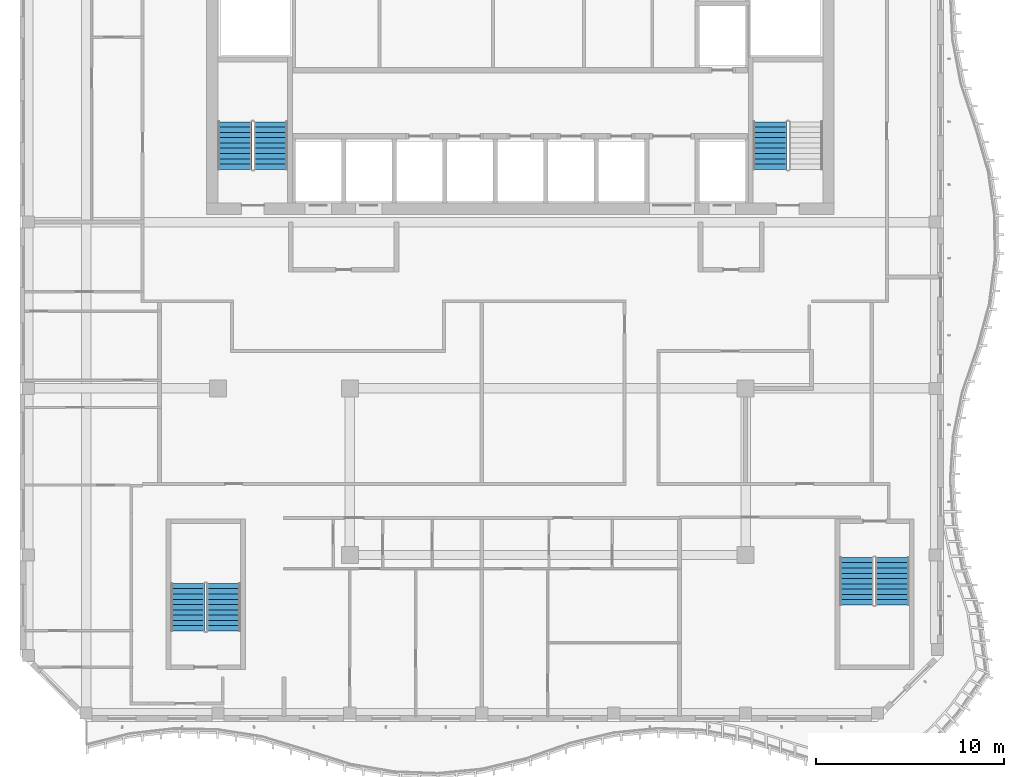
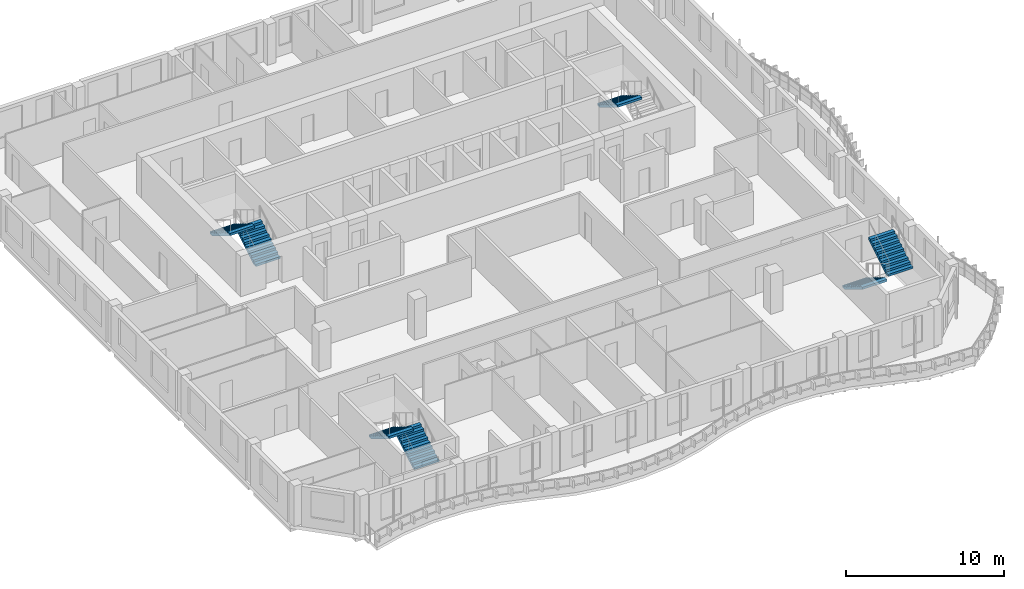
# One storey, part 10 of 16: 7 stair flights, 4 elements without a shape of their own.
"""IFC4 building model written with IfcOpenShell, lengths in metres."""

from ifc_helpers import new_model, si_unit, direction, frame, origin, place, context, subcontext, project, spatial, triangles, source, transform, mapped, material, type_object, element, aggregate, save


model = new_model("IFC4")

# Units and contexts
model_context = context("Model", 3, precision=1e-05, world=origin(), true_north=direction((0.0, 1.0)))
body_context = subcontext(model_context, "Body", "Model", "MODEL_VIEW")
ifc_project = project(units=[si_unit("LENGTHUNIT", "METRE"), si_unit("AREAUNIT", "SQUARE_METRE"), si_unit("VOLUMEUNIT", "CUBIC_METRE"), si_unit("PLANEANGLEUNIT", "RADIAN"), si_unit("MASSUNIT", "GRAM", prefix="KILO")], contexts=[model_context])

# Site, building, storey
site_placement = place(None, origin())
site = spatial("IfcSite", under=ifc_project, at=site_placement, CompositionType="ELEMENT")
building_placement = place(site_placement, origin())
building = spatial("IfcBuilding", under=site, at=building_placement, Name="Kilnfold Tower and Market Hall", CompositionType="ELEMENT")
storey_placement = place(building_placement, frame((0.0, 0.0, 284.0)))
storey = spatial("IfcBuildingStorey", under=building, at=storey_placement, Name="L70", CompositionType="ELEMENT", Elevation=284.0)

# Stair, stair flights
ifc_material_1 = material(Name="Concrete C40/50", Category="concrete")
stair_type = type_object("IfcStairType", Name="CORE STAIR 1800", PredefinedType="HALF_TURN_STAIR", material=ifc_material_1)
stair_1_placement = place(storey_placement, origin())
stair_1 = element("IfcStair", 1, at=stair_1_placement, inside=storey, type_object=stair_type, Name="L70 ST1", PredefinedType="HALF_TURN_STAIR")
ifc_material_2 = material(Name="Concrete C40/50", Category="concrete")
stair_flight_type = type_object("IfcStairFlightType", Name="CORE STAIR FLIGHT 1800", PredefinedType="STRAIGHT", material=ifc_material_2)
shared_shape = source(origin(), body_context, "Body", "Tessellation", [
    triangles([(0.0, 0.89990234375, 0.0), (0.0, 0.78759765625, 0.0), (0.0, 0.675048828125, 0.0), (0.0, 0.5625, 0.0), (0.0, 0.449951171875, 0.0), (0.0, 0.33740234375, 0.0), (0.0, 0.22509765625, 0.0), (0.0, 0.112548828125, 0.0), (0.0, 0.0, 0.0), (0.0, -0.112548828125, 0.0), (0.0, -0.22509765625, 0.0), (0.0, -0.33740234375, 0.0), (0.0, -0.449951171875, 0.0), (0.0, -0.5625, 0.0), (0.0, -0.675048828125, 0.0), (0.0, -0.78759765625, 0.0), (0.0, -0.89990234375, 0.0), (0.0, 0.89990234375, 0.169921875), (0.0, 0.78759765625, 0.169921875), (0.0, 0.675048828125, 0.169921875), (0.0, 0.5625, 0.169921875), (0.0, 0.449951171875, 0.169921875), (0.0, 0.33740234375, 0.169921875), (0.0, 0.22509765625, 0.169921875), (0.0, 0.112548828125, 0.169921875), (0.0, 0.0, 0.169921875), (0.0, -0.112548828125, 0.169921875), (0.0, -0.22509765625, 0.169921875), (0.0, -0.33740234375, 0.169921875), (0.0, -0.449951171875, 0.169921875), (0.0, -0.5625, 0.169921875), (0.0, -0.675048828125, 0.169921875), (0.0, -0.78759765625, 0.169921875), (0.0, -0.89990234375, 0.169921875), (0.280029296875, 0.89990234375, 0.169921875), (0.280029296875, 0.78759765625, 0.169921875), (0.280029296875, 0.675048828125, 0.169921875), (0.280029296875, 0.5625, 0.169921875), (0.280029296875, 0.449951171875, 0.169921875), (0.280029296875, 0.33740234375, 0.169921875), (0.280029296875, 0.22509765625, 0.169921875), (0.280029296875, 0.112548828125, 0.169921875), (0.280029296875, 0.0, 0.169921875), (0.280029296875, -0.112548828125, 0.169921875), (0.280029296875, -0.22509765625, 0.169921875), (0.280029296875, -0.33740234375, 0.169921875), (0.280029296875, -0.449951171875, 0.169921875), (0.280029296875, -0.5625, 0.169921875), (0.280029296875, -0.675048828125, 0.169921875), (0.280029296875, -0.78759765625, 0.169921875), (0.280029296875, -0.89990234375, 0.169921875), (0.280029296875, 0.89990234375, 0.340087890625), (0.280029296875, 0.78759765625, 0.340087890625), (0.280029296875, 0.675048828125, 0.340087890625), (0.280029296875, 0.5625, 0.340087890625), (0.280029296875, 0.449951171875, 0.340087890625), (0.280029296875, 0.33740234375, 0.340087890625), (0.280029296875, 0.22509765625, 0.340087890625), (0.280029296875, 0.112548828125, 0.340087890625), (0.280029296875, 0.0, 0.340087890625), (0.280029296875, -0.112548828125, 0.340087890625), (0.280029296875, -0.22509765625, 0.340087890625), (0.280029296875, -0.33740234375, 0.340087890625), (0.280029296875, -0.449951171875, 0.340087890625), (0.280029296875, -0.5625, 0.340087890625), (0.280029296875, -0.675048828125, 0.340087890625), (0.280029296875, -0.78759765625, 0.340087890625), (0.280029296875, -0.89990234375, 0.340087890625), (0.56005859375, 0.89990234375, 0.340087890625), (0.56005859375, 0.78759765625, 0.340087890625), (0.56005859375, 0.675048828125, 0.340087890625), (0.56005859375, 0.5625, 0.340087890625), (0.56005859375, 0.449951171875, 0.340087890625), (0.56005859375, 0.33740234375, 0.340087890625), (0.56005859375, 0.22509765625, 0.340087890625), (0.56005859375, 0.112548828125, 0.340087890625), (0.56005859375, 0.0, 0.340087890625), (0.56005859375, -0.112548828125, 0.340087890625), (0.56005859375, -0.22509765625, 0.340087890625), (0.56005859375, -0.33740234375, 0.340087890625), (0.56005859375, -0.449951171875, 0.340087890625), (0.56005859375, -0.5625, 0.340087890625), (0.56005859375, -0.675048828125, 0.340087890625), (0.56005859375, -0.78759765625, 0.340087890625), (0.56005859375, -0.89990234375, 0.340087890625), (0.56005859375, 0.89990234375, 0.510009765625), (0.56005859375, 0.78759765625, 0.510009765625), (0.56005859375, 0.675048828125, 0.510009765625), (0.56005859375, 0.5625, 0.510009765625), (0.56005859375, 0.449951171875, 0.510009765625), (0.56005859375, 0.33740234375, 0.510009765625), (0.56005859375, 0.22509765625, 0.510009765625), (0.56005859375, 0.112548828125, 0.510009765625), (0.56005859375, 0.0, 0.510009765625), (0.56005859375, -0.112548828125, 0.510009765625), (0.56005859375, -0.22509765625, 0.510009765625), (0.56005859375, -0.33740234375, 0.510009765625), (0.56005859375, -0.449951171875, 0.510009765625), (0.56005859375, -0.5625, 0.510009765625), (0.56005859375, -0.675048828125, 0.510009765625), (0.56005859375, -0.78759765625, 0.510009765625), (0.56005859375, -0.89990234375, 0.510009765625), (0.840087890625, 0.89990234375, 0.510009765625), (0.840087890625, 0.78759765625, 0.510009765625), (0.840087890625, 0.675048828125, 0.510009765625), (0.840087890625, 0.5625, 0.510009765625), (0.840087890625, 0.449951171875, 0.510009765625), (0.840087890625, 0.33740234375, 0.510009765625), (0.840087890625, 0.22509765625, 0.510009765625), (0.840087890625, 0.112548828125, 0.510009765625), (0.840087890625, 0.0, 0.510009765625), (0.840087890625, -0.112548828125, 0.510009765625), (0.840087890625, -0.22509765625, 0.510009765625), (0.840087890625, -0.33740234375, 0.510009765625), (0.840087890625, -0.449951171875, 0.510009765625), (0.840087890625, -0.5625, 0.510009765625), (0.840087890625, -0.675048828125, 0.510009765625), (0.840087890625, -0.78759765625, 0.510009765625), (0.840087890625, -0.89990234375, 0.510009765625), (0.840087890625, 0.89990234375, 0.679931640625), (0.840087890625, 0.78759765625, 0.679931640625), (0.840087890625, 0.675048828125, 0.679931640625), (0.840087890625, 0.5625, 0.679931640625), (0.840087890625, 0.449951171875, 0.679931640625), (0.840087890625, 0.33740234375, 0.679931640625), (0.840087890625, 0.22509765625, 0.679931640625), (0.840087890625, 0.112548828125, 0.679931640625), (0.840087890625, 0.0, 0.679931640625), (0.840087890625, -0.112548828125, 0.679931640625), (0.840087890625, -0.22509765625, 0.679931640625), (0.840087890625, -0.33740234375, 0.679931640625), (0.840087890625, -0.449951171875, 0.679931640625), (0.840087890625, -0.5625, 0.679931640625), (0.840087890625, -0.675048828125, 0.679931640625), (0.840087890625, -0.78759765625, 0.679931640625), (0.840087890625, -0.89990234375, 0.679931640625), (1.1201171875, 0.89990234375, 0.679931640625), (1.1201171875, 0.78759765625, 0.679931640625), (1.1201171875, 0.675048828125, 0.679931640625), (1.1201171875, 0.5625, 0.679931640625), (1.1201171875, 0.449951171875, 0.679931640625), (1.1201171875, 0.33740234375, 0.679931640625), (1.1201171875, 0.22509765625, 0.679931640625), (1.1201171875, 0.112548828125, 0.679931640625), (1.1201171875, 0.0, 0.679931640625), (1.1201171875, -0.112548828125, 0.679931640625), (1.1201171875, -0.22509765625, 0.679931640625), (1.1201171875, -0.33740234375, 0.679931640625), (1.1201171875, -0.449951171875, 0.679931640625), (1.1201171875, -0.5625, 0.679931640625), (1.1201171875, -0.675048828125, 0.679931640625), (1.1201171875, -0.78759765625, 0.679931640625), (1.1201171875, -0.89990234375, 0.679931640625), (1.1201171875, 0.89990234375, 0.85009765625), (1.1201171875, 0.78759765625, 0.85009765625), (1.1201171875, 0.675048828125, 0.85009765625), (1.1201171875, 0.5625, 0.85009765625), (1.1201171875, 0.449951171875, 0.85009765625), (1.1201171875, 0.33740234375, 0.85009765625), (1.1201171875, 0.22509765625, 0.85009765625), (1.1201171875, 0.112548828125, 0.85009765625), (1.1201171875, 0.0, 0.85009765625), (1.1201171875, -0.112548828125, 0.85009765625), (1.1201171875, -0.22509765625, 0.85009765625), (1.1201171875, -0.33740234375, 0.85009765625), (1.1201171875, -0.449951171875, 0.85009765625), (1.1201171875, -0.5625, 0.85009765625), (1.1201171875, -0.675048828125, 0.85009765625), (1.1201171875, -0.78759765625, 0.85009765625), (1.1201171875, -0.89990234375, 0.85009765625), (1.39990234375, 0.89990234375, 0.85009765625), (1.39990234375, 0.78759765625, 0.85009765625), (1.39990234375, 0.675048828125, 0.85009765625), (1.39990234375, 0.5625, 0.85009765625), (1.39990234375, 0.449951171875, 0.85009765625), (1.39990234375, 0.33740234375, 0.85009765625), (1.39990234375, 0.22509765625, 0.85009765625), (1.39990234375, 0.112548828125, 0.85009765625), (1.39990234375, 0.0, 0.85009765625), (1.39990234375, -0.112548828125, 0.85009765625), (1.39990234375, -0.22509765625, 0.85009765625), (1.39990234375, -0.33740234375, 0.85009765625), (1.39990234375, -0.449951171875, 0.85009765625), (1.39990234375, -0.5625, 0.85009765625), (1.39990234375, -0.675048828125, 0.85009765625), (1.39990234375, -0.78759765625, 0.85009765625), (1.39990234375, -0.89990234375, 0.85009765625), (1.39990234375, 0.89990234375, 1.02001953125), (1.39990234375, 0.78759765625, 1.02001953125), (1.39990234375, 0.675048828125, 1.02001953125), (1.39990234375, 0.5625, 1.02001953125), (1.39990234375, 0.449951171875, 1.02001953125), (1.39990234375, 0.33740234375, 1.02001953125), (1.39990234375, 0.22509765625, 1.02001953125), (1.39990234375, 0.112548828125, 1.02001953125), (1.39990234375, 0.0, 1.02001953125), (1.39990234375, -0.112548828125, 1.02001953125), (1.39990234375, -0.22509765625, 1.02001953125), (1.39990234375, -0.33740234375, 1.02001953125), (1.39990234375, -0.449951171875, 1.02001953125), (1.39990234375, -0.5625, 1.02001953125), (1.39990234375, -0.675048828125, 1.02001953125), (1.39990234375, -0.78759765625, 1.02001953125), (1.39990234375, -0.89990234375, 1.02001953125), (1.679931640625, 0.89990234375, 1.02001953125), (1.679931640625, 0.78759765625, 1.02001953125), (1.679931640625, 0.675048828125, 1.02001953125), (1.679931640625, 0.5625, 1.02001953125), (1.679931640625, 0.449951171875, 1.02001953125), (1.679931640625, 0.33740234375, 1.02001953125), (1.679931640625, 0.22509765625, 1.02001953125), (1.679931640625, 0.112548828125, 1.02001953125), (1.679931640625, 0.0, 1.02001953125), (1.679931640625, -0.112548828125, 1.02001953125), (1.679931640625, -0.22509765625, 1.02001953125), (1.679931640625, -0.33740234375, 1.02001953125), (1.679931640625, -0.449951171875, 1.02001953125), (1.679931640625, -0.5625, 1.02001953125), (1.679931640625, -0.675048828125, 1.02001953125), (1.679931640625, -0.78759765625, 1.02001953125), (1.679931640625, -0.89990234375, 1.02001953125), (1.679931640625, 0.89990234375, 1.18994140625), (1.679931640625, 0.78759765625, 1.18994140625), (1.679931640625, 0.675048828125, 1.18994140625), (1.679931640625, 0.5625, 1.18994140625), (1.679931640625, 0.449951171875, 1.18994140625), (1.679931640625, 0.33740234375, 1.18994140625), (1.679931640625, 0.22509765625, 1.18994140625), (1.679931640625, 0.112548828125, 1.18994140625), (1.679931640625, 0.0, 1.18994140625), (1.679931640625, -0.112548828125, 1.18994140625), (1.679931640625, -0.22509765625, 1.18994140625), (1.679931640625, -0.33740234375, 1.18994140625), (1.679931640625, -0.449951171875, 1.18994140625), (1.679931640625, -0.5625, 1.18994140625), (1.679931640625, -0.675048828125, 1.18994140625), (1.679931640625, -0.78759765625, 1.18994140625), (1.679931640625, -0.89990234375, 1.18994140625), (1.9599609375, 0.89990234375, 1.18994140625), (1.9599609375, 0.78759765625, 1.18994140625), (1.9599609375, 0.675048828125, 1.18994140625), (1.9599609375, 0.5625, 1.18994140625), (1.9599609375, 0.449951171875, 1.18994140625), (1.9599609375, 0.33740234375, 1.18994140625), (1.9599609375, 0.22509765625, 1.18994140625), (1.9599609375, 0.112548828125, 1.18994140625), (1.9599609375, 0.0, 1.18994140625), (1.9599609375, -0.112548828125, 1.18994140625), (1.9599609375, -0.22509765625, 1.18994140625), (1.9599609375, -0.33740234375, 1.18994140625), (1.9599609375, -0.449951171875, 1.18994140625), (1.9599609375, -0.5625, 1.18994140625), (1.9599609375, -0.675048828125, 1.18994140625), (1.9599609375, -0.78759765625, 1.18994140625), (1.9599609375, -0.89990234375, 1.18994140625), (1.9599609375, 0.89990234375, 1.360107421875), (1.9599609375, 0.78759765625, 1.360107421875), (1.9599609375, 0.675048828125, 1.360107421875), (1.9599609375, 0.5625, 1.360107421875), (1.9599609375, 0.449951171875, 1.360107421875), (1.9599609375, 0.33740234375, 1.360107421875), (1.9599609375, 0.22509765625, 1.360107421875), (1.9599609375, 0.112548828125, 1.360107421875), (1.9599609375, 0.0, 1.360107421875), (1.9599609375, -0.112548828125, 1.360107421875), (1.9599609375, -0.22509765625, 1.360107421875), (1.9599609375, -0.33740234375, 1.360107421875), (1.9599609375, -0.449951171875, 1.360107421875), (1.9599609375, -0.5625, 1.360107421875), (1.9599609375, -0.675048828125, 1.360107421875), (1.9599609375, -0.78759765625, 1.360107421875), (1.9599609375, -0.89990234375, 1.360107421875), (2.239990234375, 0.89990234375, 1.360107421875), (2.239990234375, 0.78759765625, 1.360107421875), (2.239990234375, 0.675048828125, 1.360107421875), (2.239990234375, 0.5625, 1.360107421875), (2.239990234375, 0.449951171875, 1.360107421875), (2.239990234375, 0.33740234375, 1.360107421875), (2.239990234375, 0.22509765625, 1.360107421875), (2.239990234375, 0.112548828125, 1.360107421875), (2.239990234375, 0.0, 1.360107421875), (2.239990234375, -0.112548828125, 1.360107421875), (2.239990234375, -0.22509765625, 1.360107421875), (2.239990234375, -0.33740234375, 1.360107421875), (2.239990234375, -0.449951171875, 1.360107421875), (2.239990234375, -0.5625, 1.360107421875), (2.239990234375, -0.675048828125, 1.360107421875), (2.239990234375, -0.78759765625, 1.360107421875), (2.239990234375, -0.89990234375, 1.360107421875), (2.239990234375, 0.89990234375, 1.530029296875), (2.239990234375, 0.78759765625, 1.530029296875), (2.239990234375, 0.675048828125, 1.530029296875), (2.239990234375, 0.5625, 1.530029296875), (2.239990234375, 0.449951171875, 1.530029296875), (2.239990234375, 0.33740234375, 1.530029296875), (2.239990234375, 0.22509765625, 1.530029296875), (2.239990234375, 0.112548828125, 1.530029296875), (2.239990234375, 0.0, 1.530029296875), (2.239990234375, -0.112548828125, 1.530029296875), (2.239990234375, -0.22509765625, 1.530029296875), (2.239990234375, -0.33740234375, 1.530029296875), (2.239990234375, -0.449951171875, 1.530029296875), (2.239990234375, -0.5625, 1.530029296875), (2.239990234375, -0.675048828125, 1.530029296875), (2.239990234375, -0.78759765625, 1.530029296875), (2.239990234375, -0.89990234375, 1.530029296875), (2.52001953125, 0.89990234375, 1.530029296875), (2.52001953125, 0.78759765625, 1.530029296875), (2.52001953125, 0.675048828125, 1.530029296875), (2.52001953125, 0.5625, 1.530029296875), (2.52001953125, 0.449951171875, 1.530029296875), (2.52001953125, 0.33740234375, 1.530029296875), (2.52001953125, 0.22509765625, 1.530029296875), (2.52001953125, 0.112548828125, 1.530029296875), (2.52001953125, 0.0, 1.530029296875), (2.52001953125, -0.112548828125, 1.530029296875), (2.52001953125, -0.22509765625, 1.530029296875), (2.52001953125, -0.33740234375, 1.530029296875), (2.52001953125, -0.449951171875, 1.530029296875), (2.52001953125, -0.5625, 1.530029296875), (2.52001953125, -0.675048828125, 1.530029296875), (2.52001953125, -0.78759765625, 1.530029296875), (2.52001953125, -0.89990234375, 1.530029296875), (2.52001953125, 0.89990234375, 1.354736328125), (2.52001953125, 0.78759765625, 1.354736328125), (2.52001953125, 0.675048828125, 1.354736328125), (2.52001953125, 0.5625, 1.354736328125), (2.52001953125, 0.449951171875, 1.354736328125), (2.52001953125, 0.33740234375, 1.354736328125), (2.52001953125, 0.22509765625, 1.354736328125), (2.52001953125, 0.112548828125, 1.354736328125), (2.52001953125, 0.0, 1.354736328125), (2.52001953125, -0.112548828125, 1.354736328125), (2.52001953125, -0.22509765625, 1.354736328125), (2.52001953125, -0.33740234375, 1.354736328125), (2.52001953125, -0.449951171875, 1.354736328125), (2.52001953125, -0.5625, 1.354736328125), (2.52001953125, -0.675048828125, 1.354736328125), (2.52001953125, -0.78759765625, 1.354736328125), (2.52001953125, -0.89990234375, 1.354736328125), (0.288818359375, 0.89990234375, 0.0), (0.288818359375, 0.78759765625, 0.0), (0.288818359375, 0.675048828125, 0.0), (0.288818359375, 0.5625, 0.0), (0.288818359375, 0.449951171875, 0.0), (0.288818359375, 0.33740234375, 0.0), (0.288818359375, 0.22509765625, 0.0), (0.288818359375, 0.112548828125, 0.0), (0.288818359375, 0.0, 0.0), (0.288818359375, -0.112548828125, 0.0), (0.288818359375, -0.22509765625, 0.0), (0.288818359375, -0.33740234375, 0.0), (0.288818359375, -0.449951171875, 0.0), (0.288818359375, -0.5625, 0.0), (0.288818359375, -0.675048828125, 0.0), (0.288818359375, -0.78759765625, 0.0), (0.288818359375, -0.89990234375, 0.0)], [[1, 324, 341], [17, 357, 340], [324, 290, 307], [340, 323, 306], [324, 273, 290], [340, 306, 289], [324, 256, 273], [340, 289, 272], [324, 239, 256], [340, 272, 255], [239, 205, 222], [255, 238, 221], [324, 205, 239], [340, 255, 221], [205, 171, 188], [221, 204, 187], [324, 171, 205], [340, 221, 187], [171, 137, 154], [187, 170, 153], [324, 137, 171], [340, 187, 153], [137, 103, 120], [153, 136, 119], [324, 103, 137], [340, 153, 119], [103, 69, 86], [119, 102, 85], [324, 69, 103], [340, 119, 85], [69, 35, 52], [85, 68, 51], [324, 35, 69], [340, 85, 51], [1, 35, 324], [17, 340, 51], [35, 1, 18], [51, 34, 17], [1, 19, 18], [1, 2, 19], [2, 20, 19], [2, 3, 20], [3, 21, 20], [3, 4, 21], [4, 22, 21], [4, 5, 22], [5, 23, 22], [5, 6, 23], [6, 24, 23], [6, 7, 24], [7, 25, 24], [7, 8, 25], [8, 26, 25], [8, 9, 26], [9, 27, 26], [9, 10, 27], [10, 28, 27], [10, 11, 28], [11, 29, 28], [11, 12, 29], [12, 30, 29], [12, 13, 30], [13, 31, 30], [13, 14, 31], [14, 32, 31], [14, 15, 32], [15, 33, 32], [15, 16, 33], [16, 34, 33], [16, 17, 34], [18, 36, 35], [18, 19, 36], [19, 37, 36], [19, 20, 37], [20, 38, 37], [20, 21, 38], [21, 39, 38], [21, 22, 39], [22, 40, 39], [22, 23, 40], [23, 41, 40], [23, 24, 41], [24, 42, 41], [24, 25, 42], [25, 43, 42], [25, 26, 43], [26, 44, 43], [26, 27, 44], [27, 45, 44], [27, 28, 45], [28, 46, 45], [28, 29, 46], [29, 47, 46], [29, 30, 47], [30, 48, 47], [30, 31, 48], [31, 49, 48], [31, 32, 49], [32, 50, 49], [32, 33, 50], [33, 51, 50], [33, 34, 51], [35, 53, 52], [35, 36, 53], [36, 54, 53], [36, 37, 54], [37, 55, 54], [37, 38, 55], [38, 56, 55], [38, 39, 56], [39, 57, 56], [39, 40, 57], [40, 58, 57], [40, 41, 58], [41, 59, 58], [41, 42, 59], [42, 60, 59], [42, 43, 60], [43, 61, 60], [43, 44, 61], [44, 62, 61], [44, 45, 62], [45, 63, 62], [45, 46, 63], [46, 64, 63], [46, 47, 64], [47, 65, 64], [47, 48, 65], [48, 66, 65], [48, 49, 66], [49, 67, 66], [49, 50, 67], [50, 68, 67], [50, 51, 68], [52, 70, 69], [52, 53, 70], [53, 71, 70], [53, 54, 71], [54, 72, 71], [54, 55, 72], [55, 73, 72], [55, 56, 73], [56, 74, 73], [56, 57, 74], [57, 75, 74], [57, 58, 75], [58, 76, 75], [58, 59, 76], [59, 77, 76], [59, 60, 77], [60, 78, 77], [60, 61, 78], [61, 79, 78], [61, 62, 79], [62, 80, 79], [62, 63, 80], [63, 81, 80], [63, 64, 81], [64, 82, 81], [64, 65, 82], [65, 83, 82], [65, 66, 83], [66, 84, 83], [66, 67, 84], [67, 85, 84], [67, 68, 85], [69, 87, 86], [69, 70, 87], [70, 88, 87], [70, 71, 88], [71, 89, 88], [71, 72, 89], [72, 90, 89], [72, 73, 90], [73, 91, 90], [73, 74, 91], [74, 92, 91], [74, 75, 92], [75, 93, 92], [75, 76, 93], [76, 94, 93], [76, 77, 94], [77, 95, 94], [77, 78, 95], [78, 96, 95], [78, 79, 96], [79, 97, 96], [79, 80, 97], [80, 98, 97], [80, 81, 98], [81, 99, 98], [81, 82, 99], [82, 100, 99], [82, 83, 100], [83, 101, 100], [83, 84, 101], [84, 102, 101], [84, 85, 102], [86, 104, 103], [86, 87, 104], [87, 105, 104], [87, 88, 105], [88, 106, 105], [88, 89, 106], [89, 107, 106], [89, 90, 107], [90, 108, 107], [90, 91, 108], [91, 109, 108], [91, 92, 109], [92, 110, 109], [92, 93, 110], [93, 111, 110], [93, 94, 111], [94, 112, 111], [94, 95, 112], [95, 113, 112], [95, 96, 113], [96, 114, 113], [96, 97, 114], [97, 115, 114], [97, 98, 115], [98, 116, 115], [98, 99, 116], [99, 117, 116], [99, 100, 117], [100, 118, 117], [100, 101, 118], [101, 119, 118], [101, 102, 119], [103, 121, 120], [103, 104, 121], [104, 122, 121], [104, 105, 122], [105, 123, 122], [105, 106, 123], [106, 124, 123], [106, 107, 124], [107, 125, 124], [107, 108, 125], [108, 126, 125], [108, 109, 126], [109, 127, 126], [109, 110, 127], [110, 128, 127], [110, 111, 128], [111, 129, 128], [111, 112, 129], [112, 130, 129], [112, 113, 130], [113, 131, 130], [113, 114, 131], [114, 132, 131], [114, 115, 132], [115, 133, 132], [115, 116, 133], [116, 134, 133], [116, 117, 134], [117, 135, 134], [117, 118, 135], [118, 136, 135], [118, 119, 136], [120, 138, 137], [120, 121, 138], [121, 139, 138], [121, 122, 139], [122, 140, 139], [122, 123, 140], [123, 141, 140], [123, 124, 141], [124, 142, 141], [124, 125, 142], [125, 143, 142], [125, 126, 143], [126, 144, 143], [126, 127, 144], [127, 145, 144], [127, 128, 145], [128, 146, 145], [128, 129, 146], [129, 147, 146], [129, 130, 147], [130, 148, 147], [130, 131, 148], [131, 149, 148], [131, 132, 149], [132, 150, 149], [132, 133, 150], [133, 151, 150], [133, 134, 151], [134, 152, 151], [134, 135, 152], [135, 153, 152], [135, 136, 153], [137, 155, 154], [137, 138, 155], [138, 156, 155], [138, 139, 156], [139, 157, 156], [139, 140, 157], [140, 158, 157], [140, 141, 158], [141, 159, 158], [141, 142, 159], [142, 160, 159], [142, 143, 160], [143, 161, 160], [143, 144, 161], [144, 162, 161], [144, 145, 162], [145, 163, 162], [145, 146, 163], [146, 164, 163], [146, 147, 164], [147, 165, 164], [147, 148, 165], [148, 166, 165], [148, 149, 166], [149, 167, 166], [149, 150, 167], [150, 168, 167], [150, 151, 168], [151, 169, 168], [151, 152, 169], [152, 170, 169], [152, 153, 170], [154, 172, 171], [154, 155, 172], [155, 173, 172], [155, 156, 173], [156, 174, 173], [156, 157, 174], [157, 175, 174], [157, 158, 175], [158, 176, 175], [158, 159, 176], [159, 177, 176], [159, 160, 177], [160, 178, 177], [160, 161, 178], [161, 179, 178], [161, 162, 179], [162, 180, 179], [162, 163, 180], [163, 181, 180], [163, 164, 181], [164, 182, 181], [164, 165, 182], [165, 183, 182], [165, 166, 183], [166, 184, 183], [166, 167, 184], [167, 185, 184], [167, 168, 185], [168, 186, 185], [168, 169, 186], [169, 187, 186], [169, 170, 187], [171, 189, 188], [171, 172, 189], [172, 190, 189], [172, 173, 190], [173, 191, 190], [173, 174, 191], [174, 192, 191], [174, 175, 192], [175, 193, 192], [175, 176, 193], [176, 194, 193], [176, 177, 194], [177, 195, 194], [177, 178, 195], [178, 196, 195], [178, 179, 196], [179, 197, 196], [179, 180, 197], [180, 198, 197], [180, 181, 198], [181, 199, 198], [181, 182, 199], [182, 200, 199], [182, 183, 200], [183, 201, 200], [183, 184, 201], [184, 202, 201], [184, 185, 202], [185, 203, 202], [185, 186, 203], [186, 204, 203], [186, 187, 204], [188, 206, 205], [188, 189, 206], [189, 207, 206], [189, 190, 207], [190, 208, 207], [190, 191, 208], [191, 209, 208], [191, 192, 209], [192, 210, 209], [192, 193, 210], [193, 211, 210], [193, 194, 211], [194, 212, 211], [194, 195, 212], [195, 213, 212], [195, 196, 213], [196, 214, 213], [196, 197, 214], [197, 215, 214], [197, 198, 215], [198, 216, 215], [198, 199, 216], [199, 217, 216], [199, 200, 217], [200, 218, 217], [200, 201, 218], [201, 219, 218], [201, 202, 219], [202, 220, 219], [202, 203, 220], [203, 221, 220], [203, 204, 221], [205, 223, 222], [205, 206, 223], [206, 224, 223], [206, 207, 224], [207, 225, 224], [207, 208, 225], [208, 226, 225], [208, 209, 226], [209, 227, 226], [209, 210, 227], [210, 228, 227], [210, 211, 228], [211, 229, 228], [211, 212, 229], [212, 230, 229], [212, 213, 230], [213, 231, 230], [213, 214, 231], [214, 232, 231], [214, 215, 232], [215, 233, 232], [215, 216, 233], [216, 234, 233], [216, 217, 234], [217, 235, 234], [217, 218, 235], [218, 236, 235], [218, 219, 236], [219, 237, 236], [219, 220, 237], [220, 238, 237], [220, 221, 238], [222, 240, 239], [222, 223, 240], [223, 241, 240], [223, 224, 241], [224, 242, 241], [224, 225, 242], [225, 243, 242], [225, 226, 243], [226, 244, 243], [226, 227, 244], [227, 245, 244], [227, 228, 245], [228, 246, 245], [228, 229, 246], [229, 247, 246], [229, 230, 247], [230, 248, 247], [230, 231, 248], [231, 249, 248], [231, 232, 249], [232, 250, 249], [232, 233, 250], [233, 251, 250], [233, 234, 251], [234, 252, 251], [234, 235, 252], [235, 253, 252], [235, 236, 253], [236, 254, 253], [236, 237, 254], [237, 255, 254], [237, 238, 255], [239, 257, 256], [239, 240, 257], [240, 258, 257], [240, 241, 258], [241, 259, 258], [241, 242, 259], [242, 260, 259], [242, 243, 260], [243, 261, 260], [243, 244, 261], [244, 262, 261], [244, 245, 262], [245, 263, 262], [245, 246, 263], [246, 264, 263], [246, 247, 264], [247, 265, 264], [247, 248, 265], [248, 266, 265], [248, 249, 266], [249, 267, 266], [249, 250, 267], [250, 268, 267], [250, 251, 268], [251, 269, 268], [251, 252, 269], [252, 270, 269], [252, 253, 270], [253, 271, 270], [253, 254, 271], [254, 272, 271], [254, 255, 272], [256, 274, 273], [256, 257, 274], [257, 275, 274], [257, 258, 275], [258, 276, 275], [258, 259, 276], [259, 277, 276], [259, 260, 277], [260, 278, 277], [260, 261, 278], [261, 279, 278], [261, 262, 279], [262, 280, 279], [262, 263, 280], [263, 281, 280], [263, 264, 281], [264, 282, 281], [264, 265, 282], [265, 283, 282], [265, 266, 283], [266, 284, 283], [266, 267, 284], [267, 285, 284], [267, 268, 285], [268, 286, 285], [268, 269, 286], [269, 287, 286], [269, 270, 287], [270, 288, 287], [270, 271, 288], [271, 289, 288], [271, 272, 289], [273, 291, 290], [273, 274, 291], [274, 292, 291], [274, 275, 292], [275, 293, 292], [275, 276, 293], [276, 294, 293], [276, 277, 294], [277, 295, 294], [277, 278, 295], [278, 296, 295], [278, 279, 296], [279, 297, 296], [279, 280, 297], [280, 298, 297], [280, 281, 298], [281, 299, 298], [281, 282, 299], [282, 300, 299], [282, 283, 300], [283, 301, 300], [283, 284, 301], [284, 302, 301], [284, 285, 302], [285, 303, 302], [285, 286, 303], [286, 304, 303], [286, 287, 304], [287, 305, 304], [287, 288, 305], [288, 306, 305], [288, 289, 306], [290, 308, 307], [290, 291, 308], [291, 309, 308], [291, 292, 309], [292, 310, 309], [292, 293, 310], [293, 311, 310], [293, 294, 311], [294, 312, 311], [294, 295, 312], [295, 313, 312], [295, 296, 313], [296, 314, 313], [296, 297, 314], [297, 315, 314], [297, 298, 315], [298, 316, 315], [298, 299, 316], [299, 317, 316], [299, 300, 317], [300, 318, 317], [300, 301, 318], [301, 319, 318], [301, 302, 319], [302, 320, 319], [302, 303, 320], [303, 321, 320], [303, 304, 321], [304, 322, 321], [304, 305, 322], [305, 323, 322], [305, 306, 323], [307, 325, 324], [307, 308, 325], [308, 326, 325], [308, 309, 326], [309, 327, 326], [309, 310, 327], [310, 328, 327], [310, 311, 328], [311, 329, 328], [311, 312, 329], [312, 330, 329], [312, 313, 330], [313, 331, 330], [313, 314, 331], [314, 332, 331], [314, 315, 332], [315, 333, 332], [315, 316, 333], [316, 334, 333], [316, 317, 334], [317, 335, 334], [317, 318, 335], [318, 336, 335], [318, 319, 336], [319, 337, 336], [319, 320, 337], [320, 338, 337], [320, 321, 338], [321, 339, 338], [321, 322, 339], [322, 340, 339], [322, 323, 340], [324, 342, 341], [324, 325, 342], [325, 343, 342], [325, 326, 343], [326, 344, 343], [326, 327, 344], [327, 345, 344], [327, 328, 345], [328, 346, 345], [328, 329, 346], [329, 347, 346], [329, 330, 347], [330, 348, 347], [330, 331, 348], [331, 349, 348], [331, 332, 349], [332, 350, 349], [332, 333, 350], [333, 351, 350], [333, 334, 351], [334, 352, 351], [334, 335, 352], [335, 353, 352], [335, 336, 353], [336, 354, 353], [336, 337, 354], [337, 355, 354], [337, 338, 355], [338, 356, 355], [338, 339, 356], [339, 357, 356], [339, 340, 357], [341, 2, 1], [341, 342, 2], [342, 3, 2], [342, 343, 3], [343, 4, 3], [343, 344, 4], [344, 5, 4], [344, 345, 5], [345, 6, 5], [345, 346, 6], [346, 7, 6], [346, 347, 7], [347, 8, 7], [347, 348, 8], [348, 9, 8], [348, 349, 9], [349, 10, 9], [349, 350, 10], [350, 11, 10], [350, 351, 11], [351, 12, 11], [351, 352, 12], [352, 13, 12], [352, 353, 13], [353, 14, 13], [353, 354, 14], [354, 15, 14], [354, 355, 15], [355, 16, 15], [355, 356, 16], [356, 17, 16], [356, 357, 17]], closed=True),
])
stair_flight_1_placement = place(storey_placement, frame((-12.199951171875, 10.800048828125, 0.0), z_axis=(0.0, 0.0, 1.0), x_axis=(0.0, 1.0, 0.0)))
stair_flight_1 = element("IfcStairFlight", 2, at=stair_flight_1_placement, type_object=stair_flight_type, Name="ST1 flight 1", NumberOfRisers=10, NumberOfTreads=9, PredefinedType="STRAIGHT", RiserHeight=0.17, TreadLength=0.28, context=body_context, shape_type="MappedRepresentation", body=[
    mapped(shared_shape, transform((0.0, 0.0, 0.0))),
])
stair_flight_2_placement = place(storey_placement, frame((-14.10009765625, 13.320068359375, 1.699951171875), z_axis=(0.0, 0.0, 1.0), x_axis=(0.0, -1.0, 0.0)))
stair_flight_2 = element("IfcStairFlight", 3, at=stair_flight_2_placement, type_object=stair_flight_type, Name="ST1 flight 2", NumberOfRisers=10, NumberOfTreads=9, PredefinedType="STRAIGHT", RiserHeight=0.17, TreadLength=0.28, context=body_context, shape_type="MappedRepresentation", body=[
    mapped(shared_shape, transform((0.0, 0.0, 0.0))),
])
aggregate(stair_1, [stair_flight_1, stair_flight_2])

# Stair, stair flight
stair_2_placement = place(storey_placement, origin())
stair_2 = element("IfcStair", 4, at=stair_2_placement, inside=storey, type_object=stair_type, Name="L70 ST2", PredefinedType="HALF_TURN_STAIR")
stair_flight_3_placement = place(storey_placement, frame((14.300048828125, 13.320068359375, 1.699951171875), z_axis=(0.0, 0.0, 1.0), x_axis=(0.0, -1.0, 0.0)))
stair_flight_3 = element("IfcStairFlight", 5, at=stair_flight_3_placement, type_object=stair_flight_type, Name="ST2 flight 2", NumberOfRisers=10, NumberOfTreads=9, PredefinedType="STRAIGHT", RiserHeight=0.17, TreadLength=0.28, context=body_context, shape_type="MappedRepresentation", body=[
    mapped(shared_shape, transform((0.0, 0.0, 0.0))),
])
aggregate(stair_2, [stair_flight_3])

# Stair, stair flights
stair_3_placement = place(storey_placement, origin())
stair_3 = element("IfcStair", 6, at=stair_3_placement, inside=storey, type_object=stair_type, Name="L70 ST3", PredefinedType="HALF_TURN_STAIR")
stair_flight_4_placement = place(storey_placement, frame((-14.699951171875, -13.699951171875, 0.0), z_axis=(0.0, 0.0, 1.0), x_axis=(0.0, 1.0, 0.0)))
stair_flight_4 = element("IfcStairFlight", 7, at=stair_flight_4_placement, type_object=stair_flight_type, Name="ST3 flight 1", NumberOfRisers=10, NumberOfTreads=9, PredefinedType="STRAIGHT", RiserHeight=0.17, TreadLength=0.28, context=body_context, shape_type="MappedRepresentation", body=[
    mapped(shared_shape, transform((0.0, 0.0, 0.0))),
])
stair_flight_5_placement = place(storey_placement, frame((-16.60009765625, -11.179931640625, 1.699951171875), z_axis=(0.0, 0.0, 1.0), x_axis=(0.0, -1.0, 0.0)))
stair_flight_5 = element("IfcStairFlight", 8, at=stair_flight_5_placement, type_object=stair_flight_type, Name="ST3 flight 2", NumberOfRisers=10, NumberOfTreads=9, PredefinedType="STRAIGHT", RiserHeight=0.17, TreadLength=0.28, context=body_context, shape_type="MappedRepresentation", body=[
    mapped(shared_shape, transform((0.0, 0.0, 0.0))),
])
aggregate(stair_3, [stair_flight_4, stair_flight_5])

stair_4_placement = place(storey_placement, origin())
stair_4 = element("IfcStair", 9, at=stair_4_placement, inside=storey, type_object=stair_type, Name="L70 ST4", PredefinedType="HALF_TURN_STAIR")
stair_flight_6_placement = place(storey_placement, frame((18.89990234375, -9.800048828125, 0.0), z_axis=(0.0, 0.0, 1.0), x_axis=(0.0, -1.0, 0.0)))
stair_flight_6 = element("IfcStairFlight", 10, at=stair_flight_6_placement, type_object=stair_flight_type, Name="ST4 flight 1", NumberOfRisers=10, NumberOfTreads=9, PredefinedType="STRAIGHT", RiserHeight=0.17, TreadLength=0.28, context=body_context, shape_type="MappedRepresentation", body=[
    mapped(shared_shape, transform((0.0, 0.0, 0.0))),
])
stair_flight_7_placement = place(storey_placement, frame((20.800048828125, -12.320068359375, 1.699951171875), z_axis=(0.0, 0.0, 1.0), x_axis=(0.0, 1.0, 0.0)))
stair_flight_7 = element("IfcStairFlight", 11, at=stair_flight_7_placement, type_object=stair_flight_type, Name="ST4 flight 2", NumberOfRisers=10, NumberOfTreads=9, PredefinedType="STRAIGHT", RiserHeight=0.17, TreadLength=0.28, context=body_context, shape_type="MappedRepresentation", body=[
    mapped(shared_shape, transform((0.0, 0.0, 0.0))),
])
aggregate(stair_4, [stair_flight_6, stair_flight_7])

save(model, "model.ifc")
